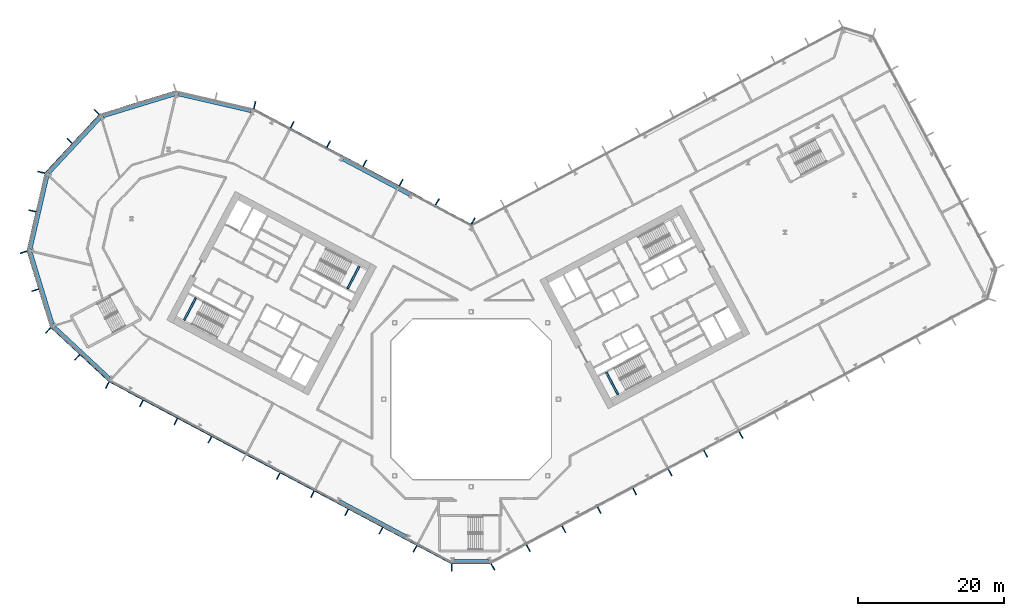
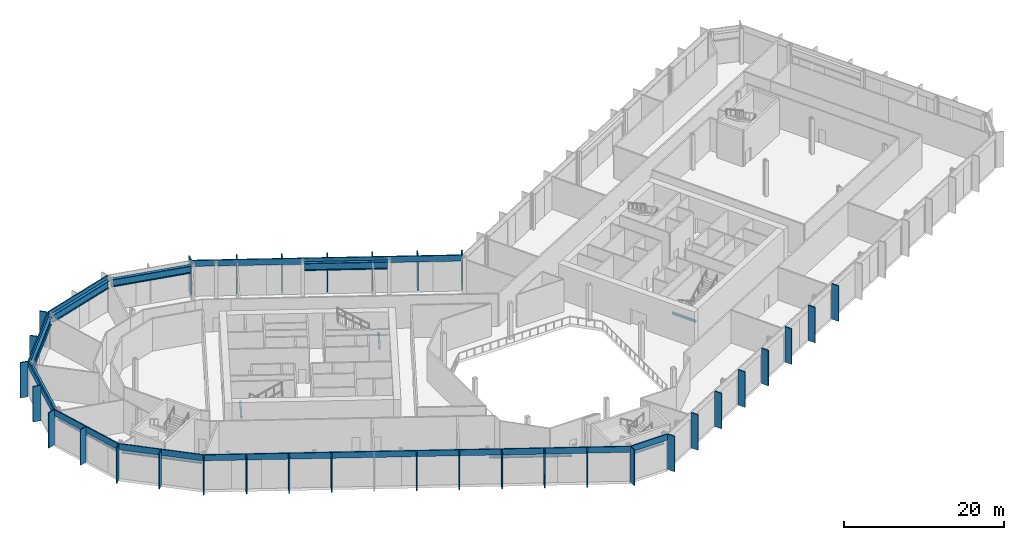
# One storey, part 6 of 31: 41 members, 12 beams, 10 elements without a shape of their own.
"""IFC4 building model written with IfcOpenShell, lengths in metres."""

from ifc_helpers import new_model, si_unit, direction, frame, origin, origin_2d, place, context, subcontext, project, spatial, rectangle, i_section, extrude, material, layer, layer_set, material_profile, profile_set, type_object, element, aggregate, save


model = new_model("IFC4")

# Units and contexts
model_context = context("Model", 3, precision=1e-05, world=origin(), true_north=direction((0.0, 1.0)))
body_context = subcontext(model_context, "Body", "Model", "MODEL_VIEW")
ifc_project = project(units=[si_unit("LENGTHUNIT", "METRE"), si_unit("AREAUNIT", "SQUARE_METRE"), si_unit("VOLUMEUNIT", "CUBIC_METRE"), si_unit("PLANEANGLEUNIT", "RADIAN"), si_unit("MASSUNIT", "GRAM", prefix="KILO")], contexts=[model_context])

# Site, building, storey
site_placement = place(None, origin())
site = spatial("IfcSite", under=ifc_project, at=site_placement, CompositionType="ELEMENT")
building_placement = place(site_placement, origin())
building = spatial("IfcBuilding", under=site, at=building_placement, Name="Cormorant Relay Tower", CompositionType="ELEMENT")
storey_placement = place(building_placement, frame((0.0, 0.0, 12.199951171875)))
storey = spatial("IfcBuildingStorey", under=building, at=storey_placement, Name="L02", CompositionType="ELEMENT", Elevation=12.199951171875)

# Curtain wall, member
ifc_material_1 = material(Name="Aluminium 6063-T6 anodised bronze", Category="aluminium")
ifc_layer = layer(ifc_material_1, 0.235107421875)
ifc_layer_set = layer_set([ifc_layer], Name="CW6 data hall curtain wall with mineral wool panels")
curtain_wall_type = type_object("IfcCurtainWallType", Name="CW6 data hall curtain wall with mineral wool panels", PredefinedType="NOTDEFINED", material=ifc_layer_set)
curtain_wall_1_placement = place(storey_placement, origin())
curtain_wall_1 = element("IfcCurtainWall", 1, at=curtain_wall_1_placement, inside=storey, type_object=curtain_wall_type, Name="CW6 curtain wall 1", PredefinedType="NOTDEFINED")
ifc_material_2 = material(Name="Aluminium 6063-T6 anodised bronze", Category="aluminium")
ifc_material_profile_1 = material_profile(ifc_material_2, rectangle(XDim=0.14990234375, YDim=1.0, at=origin_2d()), Name="AL 150x1000")
ifc_profile_set_1 = profile_set([ifc_material_profile_1], Name="Aluminium 6063-T6 anodised bronze")
member_type_1 = type_object("IfcMemberType", Name="CW6 bronze fin mullion 150 x 1000", PredefinedType="MULLION", material=ifc_profile_set_1)
member_1_placement = place(storey_placement, frame((-2.648681640625, -23.110595703125, 0.0), z_axis=(0.0, 0.0, 1.0), x_axis=(1.0, 0.0, 0.0)))
member_1 = element("IfcMember", 2, at=member_1_placement, type_object=member_type_1, Name="CW6 fin 1.1", PredefinedType="MULLION", context=body_context, shape_type="SweptSolid", body=[
    extrude(rectangle(XDim=0.14990234375, YDim=1.0, at=origin_2d()), origin(), (0.0, 0.0, 1.0), 5.400146484375),
])

# Curtain wall, members
curtain_wall_2_placement = place(storey_placement, origin())
curtain_wall_2 = element("IfcCurtainWall", 3, at=curtain_wall_2_placement, inside=storey, type_object=curtain_wall_type, Name="CW6 curtain wall 2", PredefinedType="NOTDEFINED")
member_2_placement = place(storey_placement, frame((2.993896484375, -23.0244140625, 0.0), z_axis=(0.0, 0.0, 1.0), x_axis=(0.882947592859, 0.469471562786, 0.0)))
member_2 = element("IfcMember", 4, at=member_2_placement, type_object=member_type_1, Name="CW6 fin 2.1", PredefinedType="MULLION", context=body_context, shape_type="SweptSolid", body=[
    extrude(rectangle(XDim=0.14990234375, YDim=1.0, at=origin_2d()), origin(), (0.0, 0.0, 1.0), 5.400146484375),
])
member_3_placement = place(storey_placement, frame((7.860595703125, -20.43701171875, 0.0), z_axis=(0.0, 0.0, 1.0), x_axis=(0.882947592859, 0.469471562786, 0.0)))
member_3 = element("IfcMember", 5, at=member_3_placement, type_object=member_type_1, Name="CW6 fin 2.2", PredefinedType="MULLION", context=body_context, shape_type="SweptSolid", body=[
    extrude(rectangle(XDim=0.14990234375, YDim=1.0, at=origin_2d()), origin(), (0.0, 0.0, 1.0), 5.400146484375),
])
member_4_placement = place(storey_placement, frame((12.727294921875, -17.84912109375, 0.0), z_axis=(0.0, 0.0, 1.0), x_axis=(0.882947592859, 0.469471562786, 0.0)))
member_4 = element("IfcMember", 6, at=member_4_placement, type_object=member_type_1, Name="CW6 fin 2.3", PredefinedType="MULLION", context=body_context, shape_type="SweptSolid", body=[
    extrude(rectangle(XDim=0.14990234375, YDim=1.0, at=origin_2d()), origin(), (0.0, 0.0, 1.0), 5.400146484375),
])
member_5_placement = place(storey_placement, frame((17.593994140625, -15.26171875, 0.0), z_axis=(0.0, 0.0, 1.0), x_axis=(0.882947592859, 0.469471562786, 0.0)))
member_5 = element("IfcMember", 7, at=member_5_placement, type_object=member_type_1, Name="CW6 fin 2.4", PredefinedType="MULLION", context=body_context, shape_type="SweptSolid", body=[
    extrude(rectangle(XDim=0.14990234375, YDim=1.0, at=origin_2d()), origin(), (0.0, 0.0, 1.0), 5.400146484375),
])
member_6_placement = place(storey_placement, frame((22.460693359375, -12.673828125, 0.0), z_axis=(0.0, 0.0, 1.0), x_axis=(0.882947592859, 0.469471562786, 0.0)))
member_6 = element("IfcMember", 8, at=member_6_placement, type_object=member_type_1, Name="CW6 fin 2.5", PredefinedType="MULLION", context=body_context, shape_type="SweptSolid", body=[
    extrude(rectangle(XDim=0.14990234375, YDim=1.0, at=origin_2d()), origin(), (0.0, 0.0, 1.0), 5.400146484375),
])
member_7_placement = place(storey_placement, frame((27.327392578125, -10.086181640625, 0.0), z_axis=(0.0, 0.0, 1.0), x_axis=(0.882947592859, 0.469471562786, 0.0)))
member_7 = element("IfcMember", 9, at=member_7_placement, type_object=member_type_1, Name="CW6 fin 2.6", PredefinedType="MULLION", context=body_context, shape_type="SweptSolid", body=[
    extrude(rectangle(XDim=0.14990234375, YDim=1.0, at=origin_2d()), origin(), (0.0, 0.0, 1.0), 5.400146484375),
])
member_8_placement = place(storey_placement, frame((32.194091796875, -7.49853515625, 0.0), z_axis=(0.0, 0.0, 1.0), x_axis=(0.882947592859, 0.469471562786, 0.0)))
member_8 = element("IfcMember", 10, at=member_8_placement, type_object=member_type_1, Name="CW6 fin 2.7", PredefinedType="MULLION", context=body_context, shape_type="SweptSolid", body=[
    extrude(rectangle(XDim=0.14990234375, YDim=1.0, at=origin_2d()), origin(), (0.0, 0.0, 1.0), 5.400146484375),
])
member_9_placement = place(storey_placement, frame((37.060546875, -4.910888671875, 0.0), z_axis=(0.0, 0.0, 1.0), x_axis=(0.882947592859, 0.469471562786, 0.0)))
member_9 = element("IfcMember", 11, at=member_9_placement, type_object=member_type_1, Name="CW6 fin 2.8", PredefinedType="MULLION", context=body_context, shape_type="SweptSolid", body=[
    extrude(rectangle(XDim=0.14990234375, YDim=1.0, at=origin_2d()), origin(), (0.0, 0.0, 1.0), 5.400146484375),
])
aggregate(curtain_wall_2, [member_2, member_3, member_4, member_5, member_6, member_7, member_8, member_9])

curtain_wall_3_placement = place(storey_placement, origin())
curtain_wall_3 = element("IfcCurtainWall", 12, at=curtain_wall_3_placement, inside=storey, type_object=curtain_wall_type, Name="CW6 curtain wall 7", PredefinedType="NOTDEFINED")
member_10_placement = place(storey_placement, frame((0.27880859375, 24.468017578125, 0.0), z_axis=(0.0, 0.0, 1.0), x_axis=(-0.882947592859, 0.469471562786, 0.0)))
member_10 = element("IfcMember", 13, at=member_10_placement, type_object=member_type_1, Name="CW6 fin 7.1", PredefinedType="MULLION", context=body_context, shape_type="SweptSolid", body=[
    extrude(rectangle(XDim=0.14990234375, YDim=1.0, at=origin_2d()), origin(), (0.0, 0.0, 1.0), 5.400146484375),
])
member_11_placement = place(storey_placement, frame((-4.6337890625, 27.080322265625, 0.0), z_axis=(0.0, 0.0, 1.0), x_axis=(-0.882947592859, 0.469471562786, 0.0)))
member_11 = element("IfcMember", 14, at=member_11_placement, type_object=member_type_1, Name="CW6 fin 7.2", PredefinedType="MULLION", context=body_context, shape_type="SweptSolid", body=[
    extrude(rectangle(XDim=0.14990234375, YDim=1.0, at=origin_2d()), origin(), (0.0, 0.0, 1.0), 5.400146484375),
])
member_12_placement = place(storey_placement, frame((-9.61279296875, 29.727783203125, 0.0), z_axis=(0.0, 0.0, 1.0), x_axis=(-0.882947592859, 0.469471562786, 0.0)))
member_12 = element("IfcMember", 15, at=member_12_placement, type_object=member_type_1, Name="CW6 fin 7.3", PredefinedType="MULLION", context=body_context, shape_type="SweptSolid", body=[
    extrude(rectangle(XDim=0.14990234375, YDim=1.0, at=origin_2d()), origin(), (0.0, 0.0, 1.0), 5.400146484375),
])
member_13_placement = place(storey_placement, frame((-14.591796875, 32.375, 0.0), z_axis=(0.0, 0.0, 1.0), x_axis=(-0.882947592859, 0.469471562786, 0.0)))
member_13 = element("IfcMember", 16, at=member_13_placement, type_object=member_type_1, Name="CW6 fin 7.4", PredefinedType="MULLION", context=body_context, shape_type="SweptSolid", body=[
    extrude(rectangle(XDim=0.14990234375, YDim=1.0, at=origin_2d()), origin(), (0.0, 0.0, 1.0), 5.400146484375),
])
member_14_placement = place(storey_placement, frame((-19.57080078125, 35.0224609375, 0.0), z_axis=(0.0, 0.0, 1.0), x_axis=(-0.882947592859, 0.469471562786, 0.0)))
member_14 = element("IfcMember", 17, at=member_14_placement, type_object=member_type_1, Name="CW6 fin 7.5", PredefinedType="MULLION", context=body_context, shape_type="SweptSolid", body=[
    extrude(rectangle(XDim=0.14990234375, YDim=1.0, at=origin_2d()), origin(), (0.0, 0.0, 1.0), 5.400146484375),
])
member_15_placement = place(storey_placement, frame((-24.5498046875, 37.669677734375, 0.0), z_axis=(0.0, 0.0, 1.0), x_axis=(-0.882947592859, 0.469471562786, 0.0)))
member_15 = element("IfcMember", 18, at=member_15_placement, type_object=member_type_1, Name="CW6 fin 7.6", PredefinedType="MULLION", context=body_context, shape_type="SweptSolid", body=[
    extrude(rectangle(XDim=0.14990234375, YDim=1.0, at=origin_2d()), origin(), (0.0, 0.0, 1.0), 5.400146484375),
])

# Curtain wall, member
curtain_wall_4_placement = place(storey_placement, origin())
curtain_wall_4 = element("IfcCurtainWall", 19, at=curtain_wall_4_placement, inside=storey, type_object=curtain_wall_type, Name="CW6 curtain wall 8", PredefinedType="NOTDEFINED")
member_16_placement = place(storey_placement, frame((-29.70849609375, 40.38427734375, 0.0), z_axis=(0.0, 0.0, 1.0), x_axis=(-0.974370064785, 0.224951054344, 0.0)))
member_16 = element("IfcMember", 20, at=member_16_placement, type_object=member_type_1, Name="CW6 fin 8.1", PredefinedType="MULLION", context=body_context, shape_type="SweptSolid", body=[
    extrude(rectangle(XDim=0.14990234375, YDim=1.0, at=origin_2d()), origin(), (0.0, 0.0, 1.0), 5.400146484375),
])
aggregate(curtain_wall_4, [member_16])

# Curtain wall, members
curtain_wall_5_placement = place(storey_placement, origin())
curtain_wall_5 = element("IfcCurtainWall", 21, at=curtain_wall_5_placement, inside=storey, type_object=curtain_wall_type, Name="CW6 curtain wall 10", PredefinedType="NOTDEFINED")
member_17_placement = place(storey_placement, frame((-51.3984375, 39.4365234375, 0.0), z_axis=(0.0, 0.0, 1.0), x_axis=(-0.681998360062, -0.731353701619, 0.0)))
member_17 = element("IfcMember", 22, at=member_17_placement, type_object=member_type_1, Name="CW6 fin 10.1", PredefinedType="MULLION", context=body_context, shape_type="SweptSolid", body=[
    extrude(rectangle(XDim=0.14990234375, YDim=1.0, at=origin_2d()), origin(), (0.0, 0.0, 1.0), 5.400146484375),
])
member_18_placement = place(storey_placement, frame((-55.105224609375, 35.46142578125, 0.0), z_axis=(0.0, 0.0, 1.0), x_axis=(-0.681998360062, -0.731353701619, 0.0)))
member_18 = element("IfcMember", 23, at=member_18_placement, type_object=member_type_1, Name="CW6 fin 10.2", PredefinedType="MULLION", context=body_context, shape_type="SweptSolid", body=[
    extrude(rectangle(XDim=0.14990234375, YDim=1.0, at=origin_2d()), origin(), (0.0, 0.0, 1.0), 5.400146484375),
])

curtain_wall_6_placement = place(storey_placement, origin())
curtain_wall_6 = element("IfcCurtainWall", 24, at=curtain_wall_6_placement, inside=storey, type_object=curtain_wall_type, Name="CW6 curtain wall 11", PredefinedType="NOTDEFINED")
member_19_placement = place(storey_placement, frame((-58.99072265625, 31.150390625, 0.0), z_axis=(0.0, 0.0, 1.0), x_axis=(-0.224951054344, -0.974370064785, 0.0)))
member_19 = element("IfcMember", 25, at=member_19_placement, type_object=member_type_1, Name="CW6 fin 11.1", PredefinedType="MULLION", context=body_context, shape_type="SweptSolid", body=[
    extrude(rectangle(XDim=0.14990234375, YDim=1.0, at=origin_2d()), origin(), (0.0, 0.0, 1.0), 5.400146484375),
])
member_20_placement = place(storey_placement, frame((-60.21337890625, 25.8544921875, 0.0), z_axis=(0.0, 0.0, 1.0), x_axis=(-0.224951054344, -0.974370064785, 0.0)))
member_20 = element("IfcMember", 26, at=member_20_placement, type_object=member_type_1, Name="CW6 fin 11.2", PredefinedType="MULLION", context=body_context, shape_type="SweptSolid", body=[
    extrude(rectangle(XDim=0.14990234375, YDim=1.0, at=origin_2d()), origin(), (0.0, 0.0, 1.0), 5.400146484375),
])

curtain_wall_7_placement = place(storey_placement, origin())
curtain_wall_7 = element("IfcCurtainWall", 27, at=curtain_wall_7_placement, inside=storey, type_object=curtain_wall_type, Name="CW6 curtain wall 12", PredefinedType="NOTDEFINED")
member_21_placement = place(storey_placement, frame((-61.422607421875, 20.178466796875, 0.0), z_axis=(0.0, 0.0, 1.0), x_axis=(0.292371704723, -0.956304755963, 0.0)))
member_21 = element("IfcMember", 28, at=member_21_placement, type_object=member_type_1, Name="CW6 fin 12.1", PredefinedType="MULLION", context=body_context, shape_type="SweptSolid", body=[
    extrude(rectangle(XDim=0.14990234375, YDim=1.0, at=origin_2d()), origin(), (0.0, 0.0, 1.0), 5.400146484375),
])
member_22_placement = place(storey_placement, frame((-59.83349609375, 14.980712890625, 0.0), z_axis=(0.0, 0.0, 1.0), x_axis=(0.292371704723, -0.956304755963, 0.0)))
member_22 = element("IfcMember", 29, at=member_22_placement, type_object=member_type_1, Name="CW6 fin 12.2", PredefinedType="MULLION", context=body_context, shape_type="SweptSolid", body=[
    extrude(rectangle(XDim=0.14990234375, YDim=1.0, at=origin_2d()), origin(), (0.0, 0.0, 1.0), 5.400146484375),
])

curtain_wall_8_placement = place(storey_placement, origin())
curtain_wall_8 = element("IfcCurtainWall", 30, at=curtain_wall_8_placement, inside=storey, type_object=curtain_wall_type, Name="CW6 curtain wall 13", PredefinedType="NOTDEFINED")
member_23_placement = place(storey_placement, frame((-58.04296875, 9.46044921875, 0.0), z_axis=(0.0, 0.0, 1.0), x_axis=(0.731353701619, -0.681998360062, 0.0)))
member_23 = element("IfcMember", 31, at=member_23_placement, type_object=member_type_1, Name="CW6 fin 13.1", PredefinedType="MULLION", context=body_context, shape_type="SweptSolid", body=[
    extrude(rectangle(XDim=0.14990234375, YDim=1.0, at=origin_2d()), origin(), (0.0, 0.0, 1.0), 5.400146484375),
])
member_24_placement = place(storey_placement, frame((-54.06787109375, 5.753662109375, 0.0), z_axis=(0.0, 0.0, 1.0), x_axis=(0.731353701619, -0.681998360062, 0.0)))
member_24 = element("IfcMember", 32, at=member_24_placement, type_object=member_type_1, Name="CW6 fin 13.2", PredefinedType="MULLION", context=body_context, shape_type="SweptSolid", body=[
    extrude(rectangle(XDim=0.14990234375, YDim=1.0, at=origin_2d()), origin(), (0.0, 0.0, 1.0), 5.400146484375),
])

curtain_wall_9_placement = place(storey_placement, origin())
curtain_wall_9 = element("IfcCurtainWall", 33, at=curtain_wall_9_placement, inside=storey, type_object=curtain_wall_type, Name="CW6 curtain wall 14", PredefinedType="NOTDEFINED")
member_25_placement = place(storey_placement, frame((-49.9365234375, 1.935302734375, 0.0), z_axis=(0.0, 0.0, 1.0), x_axis=(0.882947592859, -0.469471562786, 0.0)))
member_25 = element("IfcMember", 34, at=member_25_placement, type_object=member_type_1, Name="CW6 fin 14.1", PredefinedType="MULLION", context=body_context, shape_type="SweptSolid", body=[
    extrude(rectangle(XDim=0.14990234375, YDim=1.0, at=origin_2d()), origin(), (0.0, 0.0, 1.0), 5.400146484375),
])
member_26_placement = place(storey_placement, frame((-45.2421875, -0.560546875, 0.0), z_axis=(0.0, 0.0, 1.0), x_axis=(0.882947592859, -0.469471562786, 0.0)))
member_26 = element("IfcMember", 35, at=member_26_placement, type_object=member_type_1, Name="CW6 fin 14.2", PredefinedType="MULLION", context=body_context, shape_type="SweptSolid", body=[
    extrude(rectangle(XDim=0.14990234375, YDim=1.0, at=origin_2d()), origin(), (0.0, 0.0, 1.0), 5.400146484375),
])
member_27_placement = place(storey_placement, frame((-40.548095703125, -3.056640625, 0.0), z_axis=(0.0, 0.0, 1.0), x_axis=(0.882947592859, -0.469471562786, 0.0)))
member_27 = element("IfcMember", 36, at=member_27_placement, type_object=member_type_1, Name="CW6 fin 14.3", PredefinedType="MULLION", context=body_context, shape_type="SweptSolid", body=[
    extrude(rectangle(XDim=0.14990234375, YDim=1.0, at=origin_2d()), origin(), (0.0, 0.0, 1.0), 5.400146484375),
])
member_28_placement = place(storey_placement, frame((-35.853759765625, -5.552490234375, 0.0), z_axis=(0.0, 0.0, 1.0), x_axis=(0.882947592859, -0.469471562786, 0.0)))
member_28 = element("IfcMember", 37, at=member_28_placement, type_object=member_type_1, Name="CW6 fin 14.4", PredefinedType="MULLION", context=body_context, shape_type="SweptSolid", body=[
    extrude(rectangle(XDim=0.14990234375, YDim=1.0, at=origin_2d()), origin(), (0.0, 0.0, 1.0), 5.400146484375),
])
member_29_placement = place(storey_placement, frame((-26.46533203125, -10.544677734375, 0.0), z_axis=(0.0, 0.0, 1.0), x_axis=(0.882947592859, -0.469471562786, 0.0)))
member_29 = element("IfcMember", 38, at=member_29_placement, type_object=member_type_1, Name="CW6 fin 14.6", PredefinedType="MULLION", context=body_context, shape_type="SweptSolid", body=[
    extrude(rectangle(XDim=0.14990234375, YDim=1.0, at=origin_2d()), origin(), (0.0, 0.0, 1.0), 5.400146484375),
])
member_30_placement = place(storey_placement, frame((-21.77099609375, -13.04052734375, 0.0), z_axis=(0.0, 0.0, 1.0), x_axis=(0.882947592859, -0.469471562786, 0.0)))
member_30 = element("IfcMember", 39, at=member_30_placement, type_object=member_type_1, Name="CW6 fin 14.7", PredefinedType="MULLION", context=body_context, shape_type="SweptSolid", body=[
    extrude(rectangle(XDim=0.14990234375, YDim=1.0, at=origin_2d()), origin(), (0.0, 0.0, 1.0), 5.400146484375),
])
member_31_placement = place(storey_placement, frame((-17.07666015625, -15.53662109375, 0.0), z_axis=(0.0, 0.0, 1.0), x_axis=(0.882947592859, -0.469471562786, 0.0)))
member_31 = element("IfcMember", 40, at=member_31_placement, type_object=member_type_1, Name="CW6 fin 14.8", PredefinedType="MULLION", context=body_context, shape_type="SweptSolid", body=[
    extrude(rectangle(XDim=0.14990234375, YDim=1.0, at=origin_2d()), origin(), (0.0, 0.0, 1.0), 5.400146484375),
])
member_32_placement = place(storey_placement, frame((-12.38232421875, -18.032470703125, 0.0), z_axis=(0.0, 0.0, 1.0), x_axis=(0.882947592859, -0.469471562786, 0.0)))
member_32 = element("IfcMember", 41, at=member_32_placement, type_object=member_type_1, Name="CW6 fin 14.9", PredefinedType="MULLION", context=body_context, shape_type="SweptSolid", body=[
    extrude(rectangle(XDim=0.14990234375, YDim=1.0, at=origin_2d()), origin(), (0.0, 0.0, 1.0), 5.400146484375),
])
member_33_placement = place(storey_placement, frame((-7.688232421875, -20.528564453125, 0.0), z_axis=(0.0, 0.0, 1.0), x_axis=(0.882947592859, -0.469471562786, 0.0)))
member_33 = element("IfcMember", 42, at=member_33_placement, type_object=member_type_1, Name="CW6 fin 14.10", PredefinedType="MULLION", context=body_context, shape_type="SweptSolid", body=[
    extrude(rectangle(XDim=0.14990234375, YDim=1.0, at=origin_2d()), origin(), (0.0, 0.0, 1.0), 5.400146484375),
])

# Member
ifc_material_3 = material(Name="Aluminium 6063-T6 anodised bronze", Category="aluminium")
ifc_material_profile_2 = material_profile(ifc_material_3, rectangle(XDim=0.159912109375, YDim=0.89990234375, at=origin_2d()), Name="AL 160x900")
ifc_profile_set_2 = profile_set([ifc_material_profile_2], Name="Aluminium 6063-T6 anodised bronze")
member_type_2 = type_object("IfcMemberType", Name="CW6 bronze transom 160 x 900", PredefinedType="USERDEFINED", material=ifc_profile_set_2)
member_34_placement = place(storey_placement, frame((-2.648681640625, -22.530517578125, 4.949951171875), z_axis=(1.0, 0.0, 0.0), x_axis=(0.0, 1.0, 0.0)))
member_34 = element("IfcMember", 43, at=member_34_placement, type_object=member_type_2, Name="CW6 transom 1", ObjectType="TRANSOM", PredefinedType="USERDEFINED", context=body_context, shape_type="SweptSolid", body=[
    extrude(rectangle(XDim=0.159912109375, YDim=0.89990234375, at=origin_2d()), origin(), (0.0, 0.0, 1.0), 5.29736328125),
])

aggregate(curtain_wall_1, [member_1, member_34])

member_35_placement = place(storey_placement, frame((0.07275390625, 23.9208984375, 4.949951171875), z_axis=(-0.882949271414, 0.46946840587, 0.0), x_axis=(-0.46946840587, -0.882949271414, 0.0)))
member_35 = element("IfcMember", 44, at=member_35_placement, type_object=member_type_2, Name="CW6 transom 7", ObjectType="TRANSOM", PredefinedType="USERDEFINED", context=body_context, shape_type="SweptSolid", body=[
    extrude(rectangle(XDim=0.159912109375, YDim=0.89990234375, at=origin_2d()), origin(), (0.0, 0.0, 1.0), 33.833984375),
])

aggregate(curtain_wall_3, [member_10, member_11, member_12, member_13, member_14, member_15, member_35])

# Curtain wall, member
curtain_wall_10_placement = place(storey_placement, origin())
curtain_wall_10 = element("IfcCurtainWall", 45, at=curtain_wall_10_placement, inside=storey, type_object=curtain_wall_type, Name="CW6 curtain wall 9", PredefinedType="NOTDEFINED")
member_36_placement = place(storey_placement, frame((-40.5107421875, 42.26171875, 4.949951171875), z_axis=(-0.956304833932, -0.292371449698, 0.0), x_axis=(0.292371449698, -0.956304833932, 0.0)))
member_36 = element("IfcMember", 46, at=member_36_placement, type_object=member_type_2, Name="CW6 transom 9", ObjectType="TRANSOM", PredefinedType="USERDEFINED", context=body_context, shape_type="SweptSolid", body=[
    extrude(rectangle(XDim=0.159912109375, YDim=0.89990234375, at=origin_2d()), origin(), (0.0, 0.0, 1.0), 10.87060546875),
])
aggregate(curtain_wall_10, [member_36])

# Member
member_37_placement = place(storey_placement, frame((-50.974365234375, 39.041015625, 4.949951171875), z_axis=(-0.681993299437, -0.731358420696, 0.0), x_axis=(0.731358420696, -0.681993299437, 0.0)))
member_37 = element("IfcMember", 47, at=member_37_placement, type_object=member_type_2, Name="CW6 transom 10", ObjectType="TRANSOM", PredefinedType="USERDEFINED", context=body_context, shape_type="SweptSolid", body=[
    extrude(rectangle(XDim=0.159912109375, YDim=0.89990234375, at=origin_2d()), origin(), (0.0, 0.0, 1.0), 10.870361328125),
])

aggregate(curtain_wall_5, [member_17, member_18, member_37])

member_38_placement = place(storey_placement, frame((-58.425537109375, 31.02001953125, 4.949951171875), z_axis=(-0.22495136131, -0.974369993916, 0.0), x_axis=(0.974369993916, -0.22495136131, 0.0)))
member_38 = element("IfcMember", 48, at=member_38_placement, type_object=member_type_2, Name="CW6 transom 11", ObjectType="TRANSOM", PredefinedType="USERDEFINED", context=body_context, shape_type="SweptSolid", body=[
    extrude(rectangle(XDim=0.159912109375, YDim=0.89990234375, at=origin_2d()), origin(), (0.0, 0.0, 1.0), 10.870361328125),
])

aggregate(curtain_wall_6, [member_19, member_20, member_38])

member_39_placement = place(storey_placement, frame((-60.8681640625, 20.347900390625, 4.949951171875), z_axis=(0.292377729282, -0.95630291405, 0.0), x_axis=(0.95630291405, 0.292377729282, 0.0)))
member_39 = element("IfcMember", 49, at=member_39_placement, type_object=member_type_2, Name="CW6 transom 12", ObjectType="TRANSOM", PredefinedType="USERDEFINED", context=body_context, shape_type="SweptSolid", body=[
    extrude(rectangle(XDim=0.159912109375, YDim=0.89990234375, at=origin_2d()), origin(), (0.0, 0.0, 1.0), 10.870361328125),
])

aggregate(curtain_wall_7, [member_21, member_22, member_39])

member_40_placement = place(storey_placement, frame((-57.6474609375, 9.884521484375, 4.949951171875), z_axis=(0.731358420696, -0.681993299437, 0.0), x_axis=(0.681993299437, 0.731358420696, 0.0)))
member_40 = element("IfcMember", 50, at=member_40_placement, type_object=member_type_2, Name="CW6 transom 13", ObjectType="TRANSOM", PredefinedType="USERDEFINED", context=body_context, shape_type="SweptSolid", body=[
    extrude(rectangle(XDim=0.159912109375, YDim=0.89990234375, at=origin_2d()), origin(), (0.0, 0.0, 1.0), 10.870361328125),
])

aggregate(curtain_wall_8, [member_23, member_24, member_40])

member_41_placement = place(storey_placement, frame((-49.664306640625, 2.447509765625, 4.949951171875), z_axis=(0.882946630435, -0.469473372838, 0.0), x_axis=(0.469473372838, 0.882946630435, 0.0)))
member_41 = element("IfcMember", 51, at=member_41_placement, type_object=member_type_2, Name="CW6 transom 14", ObjectType="TRANSOM", PredefinedType="USERDEFINED", context=body_context, shape_type="SweptSolid", body=[
    extrude(rectangle(XDim=0.159912109375, YDim=0.89990234375, at=origin_2d()), origin(), (0.0, 0.0, 1.0), 53.165771484375),
])

aggregate(curtain_wall_9, [member_25, member_26, member_27, member_28, member_29, member_30, member_31, member_32, member_33, member_41])

# Beams
ifc_material_4 = material(Name="Steel ASTM A992 (Fy 345 MPa)", Category="steel")
ifc_material_profile_3 = material_profile(ifc_material_4, i_section(OverallWidth=0.408935546875, OverallDepth=1.137939453125, WebThickness=0.031005859375, FlangeThickness=0.05517578125, FilletRadius=0.02001953125, at=origin_2d()), Name="W1100x607")
ifc_profile_set_3 = profile_set([ifc_material_profile_3], Name="Steel ASTM A992 (Fy 345 MPa)")
beam_type_1 = type_object("IfcBeamType", Name="Spandrel W1100x607", PredefinedType="SPANDREL", material=ifc_profile_set_3)
beam_1_placement = place(storey_placement, frame((-2.331787109375, -22.171142578125, 4.381103515625), z_axis=(1.0, 0.0, 0.0), x_axis=(0.0, 1.0, 0.0)))
element("IfcBeam", 52, at=beam_1_placement, inside=storey, type_object=beam_type_1, Name="Spandrel beam L02-001", PredefinedType="SPANDREL", context=body_context, shape_type="SweptSolid", body=[
    extrude(i_section(OverallWidth=0.408935546875, OverallDepth=1.137939453125, WebThickness=0.031005859375, FlangeThickness=0.05517578125, FilletRadius=0.02001953125, at=origin_2d()), origin(), (0.0, 0.0, 1.0), 4.71533203125),
])
beam_2_placement = place(storey_placement, frame((-8.442138671875, 28.041015625, 4.381103515625), z_axis=(-0.882941792792, 0.469482470963, 0.0), x_axis=(-0.469482470963, -0.882941792792, 0.0)))
element("IfcBeam", 53, at=beam_2_placement, inside=storey, type_object=beam_type_1, Name="Spandrel beam L02-007", PredefinedType="SPANDREL", context=body_context, shape_type="SweptSolid", body=[
    extrude(i_section(OverallWidth=0.408935546875, OverallDepth=1.137939453125, WebThickness=0.031005859375, FlangeThickness=0.05517578125, FilletRadius=0.02001953125, at=origin_2d()), origin(), (0.0, 0.0, 1.0), 10.363037109375),
])
beam_3_placement = place(storey_placement, frame((-30.184814453125, 39.530029296875, 4.381103515625), z_axis=(-0.974369683491, 0.224952705905, 0.0), x_axis=(-0.224952705905, -0.974369683491, 0.0)))
element("IfcBeam", 54, at=beam_3_placement, inside=storey, type_object=beam_type_1, Name="Spandrel beam L02-008", PredefinedType="SPANDREL", context=body_context, shape_type="SweptSolid", body=[
    extrude(i_section(OverallWidth=0.408935546875, OverallDepth=1.137939453125, WebThickness=0.031005859375, FlangeThickness=0.05517578125, FilletRadius=0.02001953125, at=origin_2d()), origin(), (0.0, 0.0, 1.0), 10.3310546875),
])
beam_4_placement = place(storey_placement, frame((-40.716796875, 41.82275390625, 4.381103515625), z_axis=(-0.956304908485, -0.292371205845, 0.0), x_axis=(0.292371205845, -0.956304908485, 0.0)))
element("IfcBeam", 55, at=beam_4_placement, inside=storey, type_object=beam_type_1, Name="Spandrel beam L02-009", PredefinedType="SPANDREL", context=body_context, shape_type="SweptSolid", body=[
    extrude(i_section(OverallWidth=0.408935546875, OverallDepth=1.137939453125, WebThickness=0.031005859375, FlangeThickness=0.05517578125, FilletRadius=0.02001953125, at=origin_2d()), origin(), (0.0, 0.0, 1.0), 10.278564453125),
])
beam_5_placement = place(storey_placement, frame((-50.93359375, 38.557373046875, 4.381103515625), z_axis=(-0.682005863937, -0.731346704071, 0.0), x_axis=(0.731346704071, -0.682005863937, 0.0)))
element("IfcBeam", 56, at=beam_5_placement, inside=storey, type_object=beam_type_1, Name="Spandrel beam L02-010", PredefinedType="SPANDREL", context=body_context, shape_type="SweptSolid", body=[
    extrude(i_section(OverallWidth=0.408935546875, OverallDepth=1.137939453125, WebThickness=0.031005859375, FlangeThickness=0.05517578125, FilletRadius=0.02001953125, at=origin_2d()), origin(), (0.0, 0.0, 1.0), 10.277099609375),
])
beam_6_placement = place(storey_placement, frame((-58.1484375, 30.6220703125, 4.381103515625), z_axis=(-0.224956659484, -0.97436877072, 0.0), x_axis=(0.97436877072, -0.224956659484, 0.0)))
element("IfcBeam", 57, at=beam_6_placement, inside=storey, type_object=beam_type_1, Name="Spandrel beam L02-011", PredefinedType="SPANDREL", context=body_context, shape_type="SweptSolid", body=[
    extrude(i_section(OverallWidth=0.408935546875, OverallDepth=1.137939453125, WebThickness=0.031005859375, FlangeThickness=0.05517578125, FilletRadius=0.02001953125, at=origin_2d()), origin(), (0.0, 0.0, 1.0), 10.277587890625),
])
beam_7_placement = place(storey_placement, frame((-60.42919921875, 20.14208984375, 4.381103515625), z_axis=(0.292364564847, -0.956306938813, 0.0), x_axis=(0.956306938813, 0.292364564847, 0.0)))
element("IfcBeam", 58, at=beam_7_placement, inside=storey, type_object=beam_type_1, Name="Spandrel beam L02-012", PredefinedType="SPANDREL", context=body_context, shape_type="SweptSolid", body=[
    extrude(i_section(OverallWidth=0.408935546875, OverallDepth=1.137939453125, WebThickness=0.031005859375, FlangeThickness=0.05517578125, FilletRadius=0.02001953125, at=origin_2d()), origin(), (0.0, 0.0, 1.0), 10.27880859375),
])
beam_8_placement = place(storey_placement, frame((-57.163818359375, 9.925048828125, 4.381103515625), z_axis=(0.731361805756, -0.681989669336, 0.0), x_axis=(0.681989669336, 0.731361805756, 0.0)))
element("IfcBeam", 59, at=beam_8_placement, inside=storey, type_object=beam_type_1, Name="Spandrel beam L02-013", PredefinedType="SPANDREL", context=body_context, shape_type="SweptSolid", body=[
    extrude(i_section(OverallWidth=0.408935546875, OverallDepth=1.137939453125, WebThickness=0.031005859375, FlangeThickness=0.05517578125, FilletRadius=0.02001953125, at=origin_2d()), origin(), (0.0, 0.0, 1.0), 10.30029296875),
])
beam_9_placement = place(storey_placement, frame((-18.04638671875, -13.95703125, 4.381103515625), z_axis=(0.882942412403, -0.469481305677, 0.0), x_axis=(0.469481305677, 0.882942412403, 0.0)))
element("IfcBeam", 60, at=beam_9_placement, inside=storey, type_object=beam_type_1, Name="Spandrel beam L02-014", PredefinedType="SPANDREL", context=body_context, shape_type="SweptSolid", body=[
    extrude(i_section(OverallWidth=0.408935546875, OverallDepth=1.137939453125, WebThickness=0.031005859375, FlangeThickness=0.05517578125, FilletRadius=0.02001953125, at=origin_2d()), origin(), (0.0, 0.0, 1.0), 10.363525390625),
])
ifc_material_5 = material(Name="Concrete 50 MPa", Category="concrete")
ifc_material_profile_4 = material_profile(ifc_material_5, rectangle(XDim=0.25, YDim=0.300048828125, at=origin_2d()), Name="RC 250x300")
ifc_profile_set_4 = profile_set([ifc_material_profile_4], Name="Concrete 50 MPa")
beam_type_2 = type_object("IfcBeamType", Name="Stair landing ledge beam 250x300", PredefinedType="BEAM", material=ifc_profile_set_4)
for number, where, z_axis, x_axis, name in (
    (61, (-16.9677734375, 15.1943359375, 2.35009765625), (0.469463917486, 0.882951657895, 0.0), (-0.882951657895, 0.469463917486, 0.0), "A1 landing ledge beam"),
    (62, (-37.77490234375, 13.912841796875, 2.35009765625), (-0.469519084434, -0.88292232351, 0.0), (0.88292232351, -0.469519084434, 0.0), "A2 landing ledge beam"),
    (63, (18.55322265625, 3.6923828125, 2.35009765625), (0.469463917486, -0.882951657895, 0.0), (0.882951657895, 0.469463917486, 0.0), "B1 landing ledge beam"),
):
    element("IfcBeam", number, at=place(storey_placement, frame(where, z_axis=z_axis, x_axis=x_axis)), inside=storey, type_object=beam_type_2, Name=name, PredefinedType="BEAM", context=body_context, shape_type="SweptSolid", body=[
        extrude(rectangle(XDim=0.25, YDim=0.300048828125, at=origin_2d()), origin(), (0.0, 0.0, 1.0), 3.449951171875),
    ])

save(model, "model.ifc")
